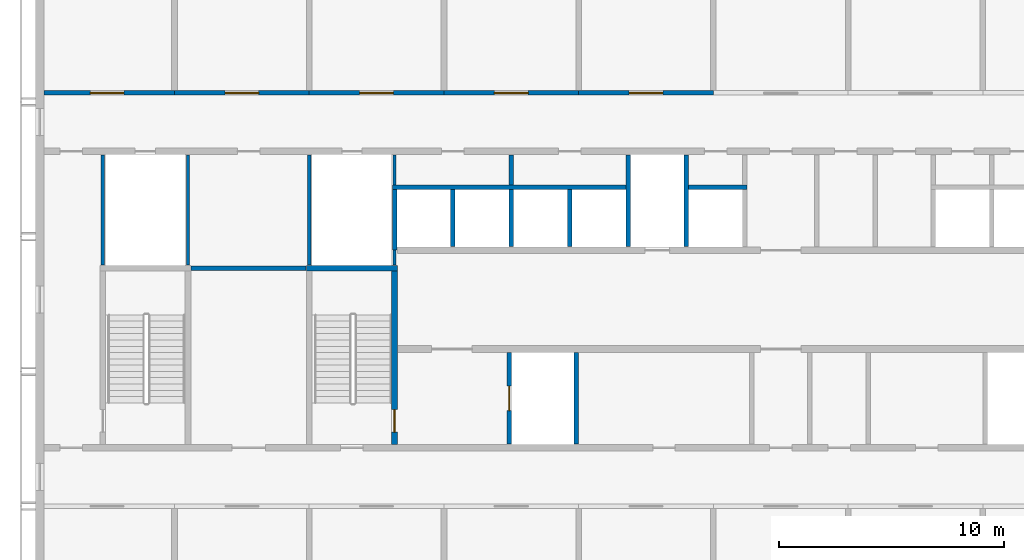
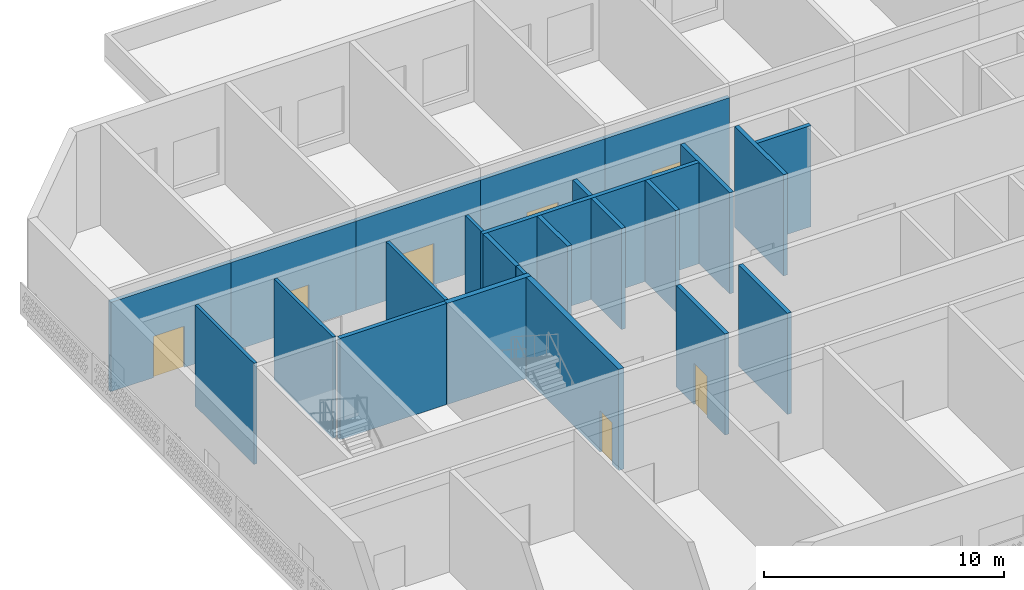
# One storey, part 2 of 18: 24 walls, 7 doors, 7 openings.
"""IFC4 building model written with IfcOpenShell, lengths in metres."""

from ifc_helpers import new_model, si_unit, direction, frame, frame_2d, origin, place, context, subcontext, project, spatial, rectangle, extrude, material, layer, layer_set, type_object, element, fill, save


model = new_model("IFC4")

# Units and contexts
model_context = context("Model", 3, precision=1e-05, world=origin(), true_north=direction((0.0, 1.0)))
body_context = subcontext(model_context, "Body", "Model", "MODEL_VIEW")
ifc_project = project(units=[si_unit("LENGTHUNIT", "METRE"), si_unit("AREAUNIT", "SQUARE_METRE"), si_unit("VOLUMEUNIT", "CUBIC_METRE"), si_unit("PLANEANGLEUNIT", "RADIAN"), si_unit("MASSUNIT", "GRAM", prefix="KILO")], contexts=[model_context])

# Site, building, storey
site_placement = place(None, origin())
site = spatial("IfcSite", under=ifc_project, at=site_placement, CompositionType="ELEMENT")
building_placement = place(site_placement, origin())
building = spatial("IfcBuilding", under=site, at=building_placement, Name="Poui Terraces", CompositionType="ELEMENT")
storey_placement = place(building_placement, frame((0.0, 0.0, 267.0)))
storey = spatial("IfcBuildingStorey", under=building, at=storey_placement, Name="L74", CompositionType="ELEMENT", Elevation=267.0)

# Wall, opening, door
ifc_material_1 = material(Name="Concrete 50 MPa", Category="concrete")
ifc_layer_1 = layer(ifc_material_1, 0.199951171875)
ifc_layer_set_1 = layer_set([ifc_layer_1], Name="Concrete 50 MPa")
wall_type_1 = type_object("IfcWallType", Name="CORRIDOR WALL 200 50MPa", PredefinedType="SHEAR", material=ifc_layer_set_1)
wall_1_placement = place(storey_placement, frame((18.199951171875, 30.39990234375, 0.0), z_axis=(0.0, 0.0, 1.0), x_axis=(1.0, 0.0, 0.0)))
wall_1 = element("IfcWall", 1, at=wall_1_placement, inside=storey, type_object=wall_type_1, Name="CORRIDOR WALL LINE E BAY 1", PredefinedType="SHEAR", context=body_context, shape_type="SweptSolid", body=[
    extrude(rectangle(XDim=5.800048828125, YDim=0.199951171875, at=frame_2d((2.89990234375, 0.0))), origin(), (0.0, 0.0, 1.0), 4.550048828125),
])
opening_1_placement = place(wall_1_placement, frame((2.050048828125, 0.0, 0.0)))
opening_1 = element("IfcOpeningElement", 2, at=opening_1_placement, cuts=wall_1, Name="Opening FDP", PredefinedType="OPENING", context=body_context, shape_type="SweptSolid", body=[
    extrude(rectangle(XDim=1.5, YDim=2.10009765625, at=frame_2d((0.75, 1.050048828125))), frame((0.0, 0.10986328125, 0.0), z_axis=(0.0, -1.0, 0.0), x_axis=(1.0, 0.0, 0.0)), (0.0, 0.0, 1.0), 0.219970703125),
])
ifc_material_2 = material(Name="Steel fire door", Category="steel")
door_type_1 = type_object("IfcDoorType", Name="PLANT ROOM DOOR PAIR 1500 X 2100", OperationType="DOUBLE_DOOR_SINGLE_SWING", PredefinedType="DOOR", material=ifc_material_2)
door_1_placement = place(opening_1_placement, frame((1.5, 0.0, 0.0), z_axis=(0.0, 0.0, 1.0), x_axis=(-1.0, 0.0, 0.0)))
door_1 = element("IfcDoor", 3, at=door_1_placement, inside=storey, type_object=door_type_1, Name="PLANT ROOM DOOR PAIR 002", OperationType="DOUBLE_DOOR_SINGLE_SWING", OverallHeight=2.10009765625, OverallWidth=1.5, PredefinedType="DOOR", context=body_context, shape_type="SweptSolid", body=[
    extrude(rectangle(XDim=1.5, YDim=2.10009765625, at=frame_2d((0.75, 1.050048828125))), frame((0.0, 0.02490234375, 0.0), z_axis=(0.0, -1.0, 0.0), x_axis=(1.0, 0.0, 0.0)), (0.0, 0.0, 1.0), 0.050048828125),
])
fill(opening_1, door_1)

wall_2_placement = place(storey_placement, frame((24.0, 30.39990234375, 0.0), z_axis=(0.0, 0.0, 1.0), x_axis=(1.0, 0.0, 0.0)))
wall_2 = element("IfcWall", 4, at=wall_2_placement, inside=storey, type_object=wall_type_1, Name="CORRIDOR WALL LINE E BAY 2", PredefinedType="SHEAR", context=body_context, shape_type="SweptSolid", body=[
    extrude(rectangle(XDim=6.0, YDim=0.199951171875, at=frame_2d((3.0, 0.0))), origin(), (0.0, 0.0, 1.0), 4.550048828125),
])
opening_2_placement = place(wall_2_placement, frame((2.25, 0.0, 0.0)))
opening_2 = element("IfcOpeningElement", 5, at=opening_2_placement, cuts=wall_2, Name="Opening FDP", PredefinedType="OPENING", context=body_context, shape_type="SweptSolid", body=[
    extrude(rectangle(XDim=1.5, YDim=2.10009765625, at=frame_2d((0.75, 1.050048828125))), frame((0.0, 0.10986328125, 0.0), z_axis=(0.0, -1.0, 0.0), x_axis=(1.0, 0.0, 0.0)), (0.0, 0.0, 1.0), 0.219970703125),
])
door_2_placement = place(opening_2_placement, frame((1.5, 0.0, 0.0), z_axis=(0.0, 0.0, 1.0), x_axis=(-1.0, 0.0, 0.0)))
door_2 = element("IfcDoor", 6, at=door_2_placement, inside=storey, type_object=door_type_1, Name="PLANT ROOM DOOR PAIR 004", OperationType="DOUBLE_DOOR_SINGLE_SWING", OverallHeight=2.10009765625, OverallWidth=1.5, PredefinedType="DOOR", context=body_context, shape_type="SweptSolid", body=[
    extrude(rectangle(XDim=1.5, YDim=2.10009765625, at=frame_2d((0.75, 1.050048828125))), frame((0.0, 0.02490234375, 0.0), z_axis=(0.0, -1.0, 0.0), x_axis=(1.0, 0.0, 0.0)), (0.0, 0.0, 1.0), 0.050048828125),
])
fill(opening_2, door_2)

wall_3_placement = place(storey_placement, frame((30.0, 30.39990234375, 0.0), z_axis=(0.0, 0.0, 1.0), x_axis=(1.0, 0.0, 0.0)))
wall_3 = element("IfcWall", 7, at=wall_3_placement, inside=storey, type_object=wall_type_1, Name="CORRIDOR WALL LINE E BAY 3", PredefinedType="SHEAR", context=body_context, shape_type="SweptSolid", body=[
    extrude(rectangle(XDim=6.0, YDim=0.199951171875, at=frame_2d((3.0, 0.0))), origin(), (0.0, 0.0, 1.0), 4.550048828125),
])
opening_3_placement = place(wall_3_placement, frame((2.25, 0.0, 0.0)))
opening_3 = element("IfcOpeningElement", 8, at=opening_3_placement, cuts=wall_3, Name="Opening FDP", PredefinedType="OPENING", context=body_context, shape_type="SweptSolid", body=[
    extrude(rectangle(XDim=1.5, YDim=2.10009765625, at=frame_2d((0.75, 1.050048828125))), frame((0.0, 0.10986328125, 0.0), z_axis=(0.0, -1.0, 0.0), x_axis=(1.0, 0.0, 0.0)), (0.0, 0.0, 1.0), 0.219970703125),
])
door_3_placement = place(opening_3_placement, frame((1.5, 0.0, 0.0), z_axis=(0.0, 0.0, 1.0), x_axis=(-1.0, 0.0, 0.0)))
door_3 = element("IfcDoor", 9, at=door_3_placement, inside=storey, type_object=door_type_1, Name="PLANT ROOM DOOR PAIR 007", OperationType="DOUBLE_DOOR_SINGLE_SWING", OverallHeight=2.10009765625, OverallWidth=1.5, PredefinedType="DOOR", context=body_context, shape_type="SweptSolid", body=[
    extrude(rectangle(XDim=1.5, YDim=2.10009765625, at=frame_2d((0.75, 1.050048828125))), frame((0.0, 0.02490234375, 0.0), z_axis=(0.0, -1.0, 0.0), x_axis=(1.0, 0.0, 0.0)), (0.0, 0.0, 1.0), 0.050048828125),
])
fill(opening_3, door_3)

wall_4_placement = place(storey_placement, frame((36.0, 30.39990234375, 0.0), z_axis=(0.0, 0.0, 1.0), x_axis=(1.0, 0.0, 0.0)))
wall_4 = element("IfcWall", 10, at=wall_4_placement, inside=storey, type_object=wall_type_1, Name="CORRIDOR WALL LINE E BAY 4", PredefinedType="SHEAR", context=body_context, shape_type="SweptSolid", body=[
    extrude(rectangle(XDim=6.0, YDim=0.199951171875, at=frame_2d((3.0, 0.0))), origin(), (0.0, 0.0, 1.0), 4.550048828125),
])
opening_4_placement = place(wall_4_placement, frame((2.25, 0.0, 0.0)))
opening_4 = element("IfcOpeningElement", 11, at=opening_4_placement, cuts=wall_4, Name="Opening FDP", PredefinedType="OPENING", context=body_context, shape_type="SweptSolid", body=[
    extrude(rectangle(XDim=1.5, YDim=2.10009765625, at=frame_2d((0.75, 1.050048828125))), frame((0.0, 0.10986328125, 0.0), z_axis=(0.0, -1.0, 0.0), x_axis=(1.0, 0.0, 0.0)), (0.0, 0.0, 1.0), 0.219970703125),
])
door_4_placement = place(opening_4_placement, frame((1.5, 0.0, 0.0), z_axis=(0.0, 0.0, 1.0), x_axis=(-1.0, 0.0, 0.0)))
door_4 = element("IfcDoor", 12, at=door_4_placement, inside=storey, type_object=door_type_1, Name="PLANT ROOM DOOR PAIR 009", OperationType="DOUBLE_DOOR_SINGLE_SWING", OverallHeight=2.10009765625, OverallWidth=1.5, PredefinedType="DOOR", context=body_context, shape_type="SweptSolid", body=[
    extrude(rectangle(XDim=1.5, YDim=2.10009765625, at=frame_2d((0.75, 1.050048828125))), frame((0.0, 0.02490234375, 0.0), z_axis=(0.0, -1.0, 0.0), x_axis=(1.0, 0.0, 0.0)), (0.0, 0.0, 1.0), 0.050048828125),
])
fill(opening_4, door_4)

wall_5_placement = place(storey_placement, frame((42.0, 30.39990234375, 0.0), z_axis=(0.0, 0.0, 1.0), x_axis=(1.0, 0.0, 0.0)))
wall_5 = element("IfcWall", 13, at=wall_5_placement, inside=storey, type_object=wall_type_1, Name="CORRIDOR WALL LINE E BAY 5", PredefinedType="SHEAR", context=body_context, shape_type="SweptSolid", body=[
    extrude(rectangle(XDim=6.0, YDim=0.199951171875, at=frame_2d((3.0, 0.0))), origin(), (0.0, 0.0, 1.0), 4.550048828125),
])
opening_5_placement = place(wall_5_placement, frame((2.25, 0.0, 0.0)))
opening_5 = element("IfcOpeningElement", 14, at=opening_5_placement, cuts=wall_5, Name="Opening FDP", PredefinedType="OPENING", context=body_context, shape_type="SweptSolid", body=[
    extrude(rectangle(XDim=1.5, YDim=2.10009765625, at=frame_2d((0.75, 1.050048828125))), frame((0.0, 0.10986328125, 0.0), z_axis=(0.0, -1.0, 0.0), x_axis=(1.0, 0.0, 0.0)), (0.0, 0.0, 1.0), 0.219970703125),
])
door_5_placement = place(opening_5_placement, frame((1.5, 0.0, 0.0), z_axis=(0.0, 0.0, 1.0), x_axis=(-1.0, 0.0, 0.0)))
door_5 = element("IfcDoor", 15, at=door_5_placement, inside=storey, type_object=door_type_1, Name="PLANT ROOM DOOR PAIR 011", OperationType="DOUBLE_DOOR_SINGLE_SWING", OverallHeight=2.10009765625, OverallWidth=1.5, PredefinedType="DOOR", context=body_context, shape_type="SweptSolid", body=[
    extrude(rectangle(XDim=1.5, YDim=2.10009765625, at=frame_2d((0.75, 1.050048828125))), frame((0.0, 0.02490234375, 0.0), z_axis=(0.0, -1.0, 0.0), x_axis=(1.0, 0.0, 0.0)), (0.0, 0.0, 1.0), 0.050048828125),
])
fill(opening_5, door_5)

# Walls
ifc_material_3 = material(Name="Fire-rated masonry wall", Category="masonry")
ifc_layer_2 = layer(ifc_material_3, 0.199951171875)
ifc_layer_set_2 = layer_set([ifc_layer_2], Name="Fire-rated masonry wall")
wall_type_2 = type_object("IfcWallType", Name="PLANT ROOM WALL 200", PredefinedType="PARTITIONING", material=ifc_layer_set_2)
wall_6_placement = place(storey_placement, frame((24.735107421875, 22.60009765625, 0.0), z_axis=(0.0, 0.0, 1.0), x_axis=(1.0, 0.0, 0.0)))
element("IfcWall", 16, at=wall_6_placement, inside=storey, type_object=wall_type_2, Name="PLANT ROOM WALL 200", PredefinedType="PARTITIONING", context=body_context, shape_type="SweptSolid", body=[
    extrude(rectangle(XDim=5.1298828125, YDim=0.199951171875, at=frame_2d((2.56494140625, 0.0))), origin(), (0.0, 0.0, 1.0), 5.14990234375),
])
wall_7_placement = place(storey_placement, frame((39.0, 26.300048828125, 0.0), z_axis=(0.0, 0.0, 1.0), x_axis=(0.0, 1.0, 0.0)))
element("IfcWall", 17, at=wall_7_placement, inside=storey, type_object=wall_type_2, Name="PLANT ROOM WALL 200", PredefinedType="PARTITIONING", context=body_context, shape_type="SweptSolid", body=[
    extrude(rectangle(XDim=1.33984375, YDim=0.199951171875, at=frame_2d((0.669921875, 0.0))), origin(), (0.0, 0.0, 1.0), 5.14990234375),
])
ifc_material_4 = material(Name="Fire-rated plasterboard riser wall")
ifc_layer_3 = layer(ifc_material_4, 0.14990234375)
ifc_layer_set_3 = layer_set([ifc_layer_3], Name="Fire-rated plasterboard riser wall")
wall_type_3 = type_object("IfcWallType", Name="RISER WALL 150", PredefinedType="PARTITIONING", material=ifc_layer_set_3)
for number, where, z_axis, x_axis, name in (
    (18, (20.800048828125, 22.735107421875, 0.0), (0.0, 0.0, 1.0), (0.0, 1.0, 0.0), "RISER WALL 150"),
    (19, (24.60009765625, 22.735107421875, 0.0), (0.0, 0.0, 1.0), (0.0, 1.0, 0.0), "RISER WALL 150"),
    (20, (30.0, 22.735107421875, 0.0), (0.0, 0.0, 1.0), (0.0, 1.0, 0.0), "RISER WALL 150"),
):
    element("IfcWall", number, at=place(storey_placement, frame(where, z_axis=z_axis, x_axis=x_axis)), inside=storey, type_object=wall_type_3, Name=name, PredefinedType="PARTITIONING", context=body_context, shape_type="SweptSolid", body=[
        extrude(rectangle(XDim=4.90478515625, YDim=0.14990234375, at=frame_2d((2.452392578125, 0.0))), origin(), (0.0, 0.0, 1.0), 5.14990234375),
    ])
wall_8_placement = place(storey_placement, frame((33.800048828125, 22.735107421875, 0.0), z_axis=(0.0, 0.0, 1.0), x_axis=(0.0, 1.0, 0.0)))
element("IfcWall", 21, at=wall_8_placement, inside=storey, type_object=wall_type_3, Name="RISER WALL 150", PredefinedType="PARTITIONING", context=body_context, shape_type="SweptSolid", body=[
    extrude(rectangle(XDim=0.664794921875, YDim=0.14990234375, at=frame_2d((0.33251953125, 0.0))), origin(), (0.0, 0.0, 1.0), 5.14990234375),
])
wall_9_placement = place(storey_placement, frame((33.800048828125, 26.300048828125, 0.0), z_axis=(0.0, 0.0, 1.0), x_axis=(0.0, 1.0, 0.0)))
element("IfcWall", 22, at=wall_9_placement, inside=storey, type_object=wall_type_3, Name="RISER WALL 150", PredefinedType="PARTITIONING", context=body_context, shape_type="SweptSolid", body=[
    extrude(rectangle(XDim=1.33984375, YDim=0.14990234375, at=frame_2d((0.669921875, 0.0))), origin(), (0.0, 0.0, 1.0), 5.14990234375),
])
ifc_material_5 = material(Name="Fire-rated masonry shaft wall", Category="masonry")
ifc_layer_4 = layer(ifc_material_5, 0.199951171875)
ifc_layer_set_4 = layer_set([ifc_layer_4], Name="Fire-rated masonry shaft wall")
wall_type_4 = type_object("IfcWallType", Name="SHAFT WALL 200", PredefinedType="PARTITIONING", material=ifc_layer_set_4)
wall_10_placement = place(storey_placement, frame((33.699951171875, 26.199951171875, 0.0), z_axis=(0.0, 0.0, 1.0), x_axis=(1.0, 0.0, 0.0)))
element("IfcWall", 23, at=wall_10_placement, inside=storey, type_object=wall_type_4, Name="SHAFT WALL 200", PredefinedType="PARTITIONING", context=body_context, shape_type="SweptSolid", body=[
    extrude(rectangle(XDim=10.400146484375, YDim=0.199951171875, at=frame_2d((5.2001953125, 0.0))), origin(), (0.0, 0.0, 1.0), 5.14990234375),
])
wall_11_placement = place(storey_placement, frame((46.89990234375, 26.199951171875, 0.0), z_axis=(0.0, 0.0, 1.0), x_axis=(1.0, 0.0, 0.0)))
element("IfcWall", 24, at=wall_11_placement, inside=storey, type_object=wall_type_4, Name="SHAFT WALL 200", PredefinedType="PARTITIONING", context=body_context, shape_type="SweptSolid", body=[
    extrude(rectangle(XDim=2.60009765625, YDim=0.199951171875, at=frame_2d((1.300048828125, 0.0))), origin(), (0.0, 0.0, 1.0), 5.14990234375),
])
wall_12_placement = place(storey_placement, frame((33.800048828125, 23.39990234375, 0.0), z_axis=(0.0, 0.0, 1.0), x_axis=(0.0, 1.0, 0.0)))
element("IfcWall", 25, at=wall_12_placement, inside=storey, type_object=wall_type_4, Name="SHAFT WALL 200", PredefinedType="PARTITIONING", context=body_context, shape_type="SweptSolid", body=[
    extrude(rectangle(XDim=2.7001953125, YDim=0.199951171875, at=frame_2d((1.35009765625, 0.0))), origin(), (0.0, 0.0, 1.0), 5.14990234375),
])
wall_13_placement = place(storey_placement, frame((36.39990234375, 23.56005859375, 0.0), z_axis=(0.0, 0.0, 1.0), x_axis=(0.0, 1.0, 0.0)))
element("IfcWall", 26, at=wall_13_placement, inside=storey, type_object=wall_type_4, Name="SHAFT WALL 200", PredefinedType="PARTITIONING", context=body_context, shape_type="SweptSolid", body=[
    extrude(rectangle(XDim=2.5400390625, YDim=0.199951171875, at=frame_2d((1.27001953125, 0.0))), origin(), (0.0, 0.0, 1.0), 5.14990234375),
])

# Wall, opening, door
wall_14_placement = place(storey_placement, frame((38.89990234375, 14.760009765625, 0.0), z_axis=(0.0, 0.0, 1.0), x_axis=(0.0, 1.0, 0.0)))
wall_14 = element("IfcWall", 27, at=wall_14_placement, inside=storey, type_object=wall_type_4, Name="SHAFT WALL 200", PredefinedType="PARTITIONING", context=body_context, shape_type="SweptSolid", body=[
    extrude(rectangle(XDim=4.080078125, YDim=0.199951171875, at=frame_2d((2.0400390625, 0.0))), origin(), (0.0, 0.0, 1.0), 5.14990234375),
])
opening_6_placement = place(wall_14_placement, frame((1.489990234375, 0.0, 0.0)))
opening_6 = element("IfcOpeningElement", 28, at=opening_6_placement, cuts=wall_14, Name="Opening LD", PredefinedType="OPENING", context=body_context, shape_type="SweptSolid", body=[
    extrude(rectangle(XDim=1.10009765625, YDim=2.10009765625, at=frame_2d((0.550048828125, 1.050048828125))), frame((0.0, 0.10986328125, 0.0), z_axis=(0.0, -1.0, 0.0), x_axis=(1.0, 0.0, 0.0)), (0.0, 0.0, 1.0), 0.219970703125),
])
ifc_material_6 = material(Name="Stainless steel sliding door", Category="steel")
door_type_2 = type_object("IfcDoorType", Name="LIFT LANDING DOOR 1100 X 2100", OperationType="DOUBLE_DOOR_SLIDING", PredefinedType="DOOR", material=ifc_material_6)
door_6_placement = place(opening_6_placement, origin())
door_6 = element("IfcDoor", 29, at=door_6_placement, inside=storey, type_object=door_type_2, Name="LANDING DOOR", OperationType="DOUBLE_DOOR_SLIDING", OverallHeight=2.10009765625, OverallWidth=1.10009765625, PredefinedType="DOOR", context=body_context, shape_type="SweptSolid", body=[
    extrude(rectangle(XDim=1.10009765625, YDim=2.10009765625, at=frame_2d((0.550048828125, 1.050048828125))), frame((0.0, 0.02490234375, 0.0), z_axis=(0.0, -1.0, 0.0), x_axis=(1.0, 0.0, 0.0)), (0.0, 0.0, 1.0), 0.050048828125),
])
fill(opening_6, door_6)

# Walls
for number, where, z_axis, x_axis, name in (
    (30, (39.0, 23.56005859375, 0.0), (0.0, 0.0, 1.0), (0.0, 1.0, 0.0), "SHAFT WALL 200"),
    (31, (41.60009765625, 23.56005859375, 0.0), (0.0, 0.0, 1.0), (0.0, 1.0, 0.0), "SHAFT WALL 200"),
):
    element("IfcWall", number, at=place(storey_placement, frame(where, z_axis=z_axis, x_axis=x_axis)), inside=storey, type_object=wall_type_4, Name=name, PredefinedType="PARTITIONING", context=body_context, shape_type="SweptSolid", body=[
        extrude(rectangle(XDim=2.5400390625, YDim=0.199951171875, at=frame_2d((1.27001953125, 0.0))), origin(), (0.0, 0.0, 1.0), 5.14990234375),
    ])
wall_15_placement = place(storey_placement, frame((41.89990234375, 14.760009765625, 0.0), z_axis=(0.0, 0.0, 1.0), x_axis=(0.0, 1.0, 0.0)))
element("IfcWall", 32, at=wall_15_placement, inside=storey, type_object=wall_type_4, Name="SHAFT WALL 200", PredefinedType="PARTITIONING", context=body_context, shape_type="SweptSolid", body=[
    extrude(rectangle(XDim=4.080078125, YDim=0.199951171875, at=frame_2d((2.0400390625, 0.0))), origin(), (0.0, 0.0, 1.0), 5.14990234375),
])
for number, where, z_axis, x_axis, name in (
    (33, (44.199951171875, 23.56005859375, 0.0), (0.0, 0.0, 1.0), (0.0, 1.0, 0.0), "SHAFT WALL 200"),
    (34, (46.800048828125, 23.56005859375, 0.0), (0.0, 0.0, 1.0), (0.0, 1.0, 0.0), "SHAFT WALL 200"),
):
    element("IfcWall", number, at=place(storey_placement, frame(where, z_axis=z_axis, x_axis=x_axis)), inside=storey, type_object=wall_type_4, Name=name, PredefinedType="PARTITIONING", context=body_context, shape_type="SweptSolid", body=[
        extrude(rectangle(XDim=4.079833984375, YDim=0.199951171875, at=frame_2d((2.0400390625, 0.0))), origin(), (0.0, 0.0, 1.0), 5.14990234375),
    ])

# Wall, opening, door
ifc_layer_5 = layer(ifc_material_1, 0.25)
ifc_layer_set_5 = layer_set([ifc_layer_5], Name="Concrete 50 MPa")
wall_type_5 = type_object("IfcWallType", Name="STAIR CORE WALL 250 50 MPA", PredefinedType="SOLIDWALL", material=ifc_layer_set_5)
wall_16_placement = place(storey_placement, frame((33.800048828125, 14.75, 0.0), z_axis=(0.0, 0.0, 1.0), x_axis=(0.0, 1.0, 0.0)))
wall_16 = element("IfcWall", 35, at=wall_16_placement, inside=storey, type_object=wall_type_5, Name="STAIR CORE WALL", PredefinedType="SOLIDWALL", context=body_context, shape_type="SweptSolid", body=[
    extrude(rectangle(XDim=7.72509765625, YDim=0.25, at=frame_2d((3.862548828125, 0.0))), origin(), (0.0, 0.0, 1.0), 5.14990234375),
])
opening_7_placement = place(wall_16_placement, frame((0.550048828125, 0.0, 0.0)))
opening_7 = element("IfcOpeningElement", 36, at=opening_7_placement, cuts=wall_16, Name="Opening FD60S", PredefinedType="OPENING", context=body_context, shape_type="SweptSolid", body=[
    extrude(rectangle(XDim=1.0, YDim=2.10009765625, at=frame_2d((0.5, 1.050048828125))), frame((0.0, 0.135009765625, 0.0), z_axis=(0.0, -1.0, 0.0), x_axis=(1.0, 0.0, 0.0)), (0.0, 0.0, 1.0), 0.27001953125),
])
door_type_3 = type_object("IfcDoorType", Name="STAIR DOOR 1000 X 2100", OperationType="NOTDEFINED", PredefinedType="DOOR", material=ifc_material_2)
door_7_placement = place(opening_7_placement, origin())
door_7 = element("IfcDoor", 37, at=door_7_placement, inside=storey, type_object=door_type_3, Name="STAIR DOOR 052", OperationType="SINGLE_SWING_LEFT", OverallHeight=2.10009765625, OverallWidth=1.0, PredefinedType="DOOR", context=body_context, shape_type="SweptSolid", body=[
    extrude(rectangle(XDim=1.0, YDim=2.10009765625, at=frame_2d((0.5, 1.050048828125))), frame((0.0, 0.02490234375, 0.0), z_axis=(0.0, -1.0, 0.0), x_axis=(1.0, 0.0, 0.0)), (0.0, 0.0, 1.0), 0.050048828125),
])
fill(opening_7, door_7)

# Wall
wall_17_placement = place(storey_placement, frame((29.875, 22.60009765625, 0.0), z_axis=(0.0, 0.0, 1.0), x_axis=(1.0, 0.0, 0.0)))
element("IfcWall", 38, at=wall_17_placement, inside=storey, type_object=wall_type_5, Name="STAIR CORE WALL", PredefinedType="SOLIDWALL", context=body_context, shape_type="SweptSolid", body=[
    extrude(rectangle(XDim=4.050048828125, YDim=0.25, at=frame_2d((2.02490234375, 0.0))), origin(), (0.0, 0.0, 1.0), 5.14990234375),
])

save(model, "model.ifc")
